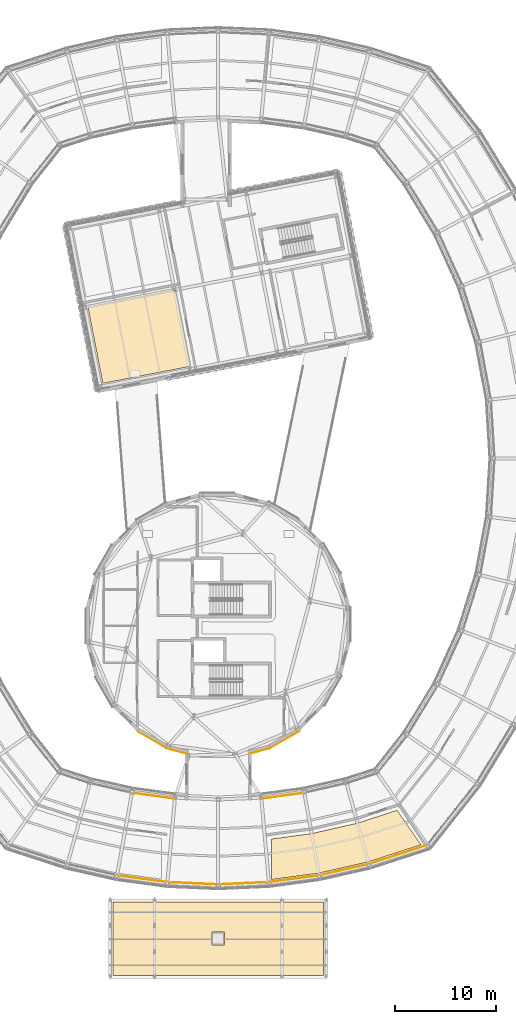
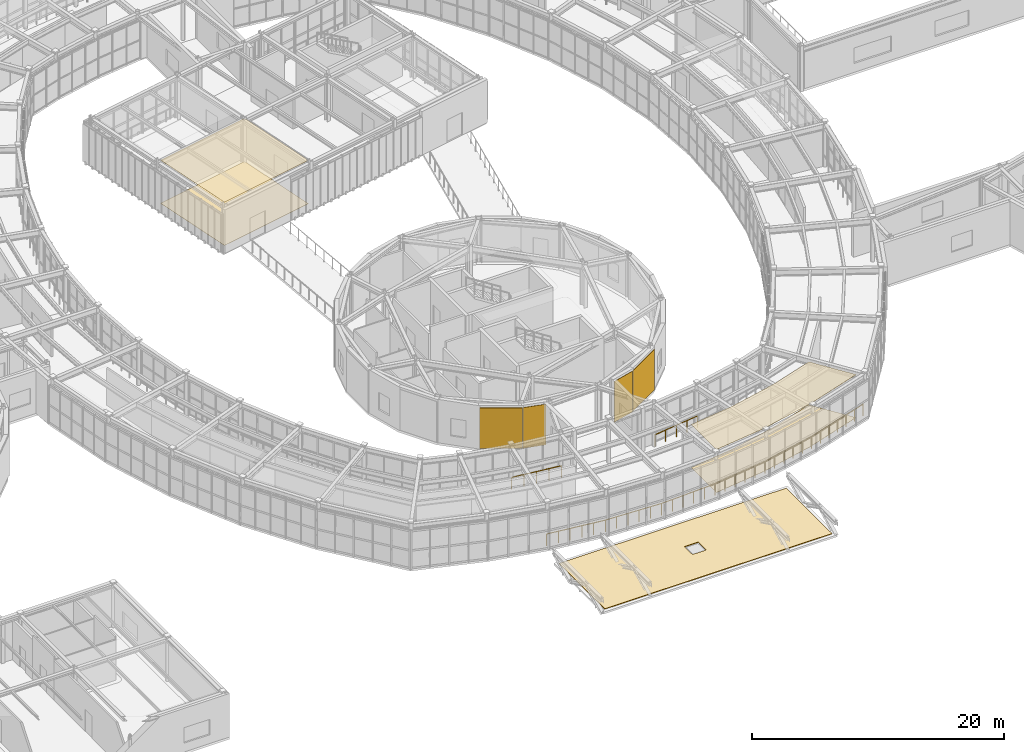
# One storey, part 92 of 103: 9 coverings, 8 railings.
"""IFC4 building model written with IfcOpenShell, lengths in metres."""

from ifc_helpers import new_model, si_unit, direction, frame, origin, origin_2d, place, context, subcontext, project, spatial, polyline, rectangle, circle, outline, extrude, material, layer, layer_set, type_object, element, save


model = new_model("IFC4")

# Units and contexts
model_context = context("Model", 3, precision=1e-05, world=origin(), true_north=direction((0.0, 1.0)))
body_context = subcontext(model_context, "Body", "Model", "MODEL_VIEW")
ifc_project = project(units=[si_unit("LENGTHUNIT", "METRE"), si_unit("AREAUNIT", "SQUARE_METRE"), si_unit("VOLUMEUNIT", "CUBIC_METRE"), si_unit("PLANEANGLEUNIT", "RADIAN"), si_unit("MASSUNIT", "GRAM", prefix="KILO")], contexts=[model_context])

# Site, building, storey
site_placement = place(None, origin())
site = spatial("IfcSite", under=ifc_project, at=site_placement, CompositionType="ELEMENT")
building_placement = place(site_placement, origin())
building = spatial("IfcBuilding", under=site, at=building_placement, Name="Varnklinge Art Gallery", CompositionType="ELEMENT")
storey_placement = place(building_placement, frame((0.0, 0.0, 5.10009765625)))
storey = spatial("IfcBuildingStorey", under=building, at=storey_placement, Name="L01", CompositionType="ELEMENT", Elevation=5.10009765625)

# Railings
ifc_material_1 = material(Name="Anodised Aluminium", Category="aluminium")
railing_type = type_object("IfcRailingType", Name="BAL-01", PredefinedType="BALUSTRADE", material=ifc_material_1)
railing_1_placement = place(storey_placement, frame((65.49951171875, 13.753662109375, 0.0)))
element("IfcRailing", 1, at=railing_1_placement, inside=storey, type_object=railing_type, Name="L01 Ring Outer Glazing Guard 35", PredefinedType="BALUSTRADE", context=body_context, shape_type="SweptSolid", body=[
    extrude(circle(Radius=0.02392578125, at=origin_2d()), frame((0.0, 0.0, 1.11572265625), z_axis=(0.990995566773, -0.133894684872, 0.0), x_axis=(0.133894684872, 0.990995566773, 0.0)), (0.0, 0.0, 1.0), 5.025146484375),
    extrude(circle(Radius=0.02099609375, at=origin_2d()), origin(), (0.0, 0.0, 1.0), 1.091796875),
    extrude(circle(Radius=0.02099609375, at=origin_2d()), frame((0.99609375, -0.134521484375, 0.0)), (0.0, 0.0, 1.0), 1.091796875),
    extrude(circle(Radius=0.02099609375, at=origin_2d()), frame((1.991943359375, -0.26904296875, 0.0)), (0.0, 0.0, 1.0), 1.091796875),
    extrude(circle(Radius=0.02099609375, at=origin_2d()), frame((2.988037109375, -0.40380859375, 0.0)), (0.0, 0.0, 1.0), 1.091796875),
    extrude(circle(Radius=0.02099609375, at=origin_2d()), frame((3.98388671875, -0.538330078125, 0.0)), (0.0, 0.0, 1.0), 1.091796875),
    extrude(circle(Radius=0.02099609375, at=origin_2d()), frame((4.97998046875, -0.6728515625, 0.0)), (0.0, 0.0, 1.0), 1.091796875),
])
railing_2_placement = place(storey_placement, frame((66.975830078125, 21.909423828125, 0.0)))
element("IfcRailing", 2, at=railing_2_placement, inside=storey, type_object=railing_type, Name="L01 Ring Inner Glazing Guard 35", PredefinedType="BALUSTRADE", context=body_context, shape_type="SweptSolid", body=[
    extrude(circle(Radius=0.02392578125, at=origin_2d()), frame((0.0, 0.0, 1.11572265625), z_axis=(0.990996927418, -0.133884613936, 0.0), x_axis=(0.133884613936, 0.990996927418, 0.0)), (0.0, 0.0, 1.0), 4.283447265625),
    extrude(circle(Radius=0.02099609375, at=origin_2d()), origin(), (0.0, 0.0, 1.0), 1.091796875),
    extrude(circle(Radius=0.02099609375, at=origin_2d()), frame((1.061279296875, -0.143310546875, 0.0)), (0.0, 0.0, 1.0), 1.091796875),
    extrude(circle(Radius=0.02099609375, at=origin_2d()), frame((2.12255859375, -0.28662109375, 0.0)), (0.0, 0.0, 1.0), 1.091796875),
    extrude(circle(Radius=0.02099609375, at=origin_2d()), frame((3.18359375, -0.43017578125, 0.0)), (0.0, 0.0, 1.0), 1.091796875),
    extrude(circle(Radius=0.02099609375, at=origin_2d()), frame((4.244873046875, -0.573486328125, 0.0)), (0.0, 0.0, 1.0), 1.091796875),
])
railing_3_placement = place(storey_placement, frame((70.4794921875, 13.080810546875, 0.0)))
element("IfcRailing", 3, at=railing_3_placement, inside=storey, type_object=railing_type, Name="L01 Ring Outer Glazing Guard 36", PredefinedType="BALUSTRADE", context=body_context, shape_type="SweptSolid", body=[
    extrude(circle(Radius=0.02392578125, at=origin_2d()), frame((0.0, 0.0, 1.11572265625), z_axis=(0.998998568337, -0.044742155293, 0.0), x_axis=(0.044742155293, 0.998998568337, 0.0)), (0.0, 0.0, 1.0), 5.025634765625),
    extrude(circle(Radius=0.02099609375, at=origin_2d()), origin(), (0.0, 0.0, 1.0), 1.091796875),
    extrude(circle(Radius=0.02099609375, at=origin_2d()), frame((1.004150390625, -0.044921875, 0.0)), (0.0, 0.0, 1.0), 1.091796875),
    extrude(circle(Radius=0.02099609375, at=origin_2d()), frame((2.00830078125, -0.08984375, 0.0)), (0.0, 0.0, 1.0), 1.091796875),
    extrude(circle(Radius=0.02099609375, at=origin_2d()), frame((3.01220703125, -0.135009765625, 0.0)), (0.0, 0.0, 1.0), 1.091796875),
    extrude(circle(Radius=0.02099609375, at=origin_2d()), frame((4.016357421875, -0.179931640625, 0.0)), (0.0, 0.0, 1.0), 1.091796875),
    extrude(circle(Radius=0.02099609375, at=origin_2d()), frame((5.0205078125, -0.224853515625, 0.0)), (0.0, 0.0, 1.0), 1.091796875),
])
railing_4_placement = place(storey_placement, frame((75.5, 12.85595703125, 0.0)))
element("IfcRailing", 4, at=railing_4_placement, inside=storey, type_object=railing_type, Name="L01 Ring Outer Glazing Guard 37", PredefinedType="BALUSTRADE", context=body_context, shape_type="SweptSolid", body=[
    extrude(circle(Radius=0.02392578125, at=origin_2d()), frame((0.0, 0.0, 1.11572265625), z_axis=(0.998998568337, 0.044742155293, 0.0), x_axis=(-0.044742155293, 0.998998568337, 0.0)), (0.0, 0.0, 1.0), 5.025634765625),
    extrude(circle(Radius=0.02099609375, at=origin_2d()), origin(), (0.0, 0.0, 1.0), 1.091796875),
    extrude(circle(Radius=0.02099609375, at=origin_2d()), frame((1.004150390625, 0.044921875, 0.0)), (0.0, 0.0, 1.0), 1.091796875),
    extrude(circle(Radius=0.02099609375, at=origin_2d()), frame((2.00830078125, 0.08984375, 0.0)), (0.0, 0.0, 1.0), 1.091796875),
    extrude(circle(Radius=0.02099609375, at=origin_2d()), frame((3.01220703125, 0.135009765625, 0.0)), (0.0, 0.0, 1.0), 1.091796875),
    extrude(circle(Radius=0.02099609375, at=origin_2d()), frame((4.016357421875, 0.179931640625, 0.0)), (0.0, 0.0, 1.0), 1.091796875),
    extrude(circle(Radius=0.02099609375, at=origin_2d()), frame((5.0205078125, 0.224853515625, 0.0)), (0.0, 0.0, 1.0), 1.091796875),
])
railing_5_placement = place(storey_placement, frame((80.5205078125, 13.080810546875, 0.0)))
element("IfcRailing", 5, at=railing_5_placement, inside=storey, type_object=railing_type, Name="L01 Ring Outer Glazing Guard 38", PredefinedType="BALUSTRADE", context=body_context, shape_type="SweptSolid", body=[
    extrude(circle(Radius=0.02392578125, at=origin_2d()), frame((0.0, 0.0, 1.11572265625), z_axis=(0.990995566773, 0.133894684872, 0.0), x_axis=(-0.133894684872, 0.990995566773, 0.0)), (0.0, 0.0, 1.0), 5.025146484375),
    extrude(circle(Radius=0.02099609375, at=origin_2d()), origin(), (0.0, 0.0, 1.0), 1.091796875),
    extrude(circle(Radius=0.02099609375, at=origin_2d()), frame((0.99609375, 0.134521484375, 0.0)), (0.0, 0.0, 1.0), 1.091796875),
    extrude(circle(Radius=0.02099609375, at=origin_2d()), frame((1.991943359375, 0.26904296875, 0.0)), (0.0, 0.0, 1.0), 1.091796875),
    extrude(circle(Radius=0.02099609375, at=origin_2d()), frame((2.988037109375, 0.40380859375, 0.0)), (0.0, 0.0, 1.0), 1.091796875),
    extrude(circle(Radius=0.02099609375, at=origin_2d()), frame((3.98388671875, 0.538330078125, 0.0)), (0.0, 0.0, 1.0), 1.091796875),
    extrude(circle(Radius=0.02099609375, at=origin_2d()), frame((4.97998046875, 0.6728515625, 0.0)), (0.0, 0.0, 1.0), 1.091796875),
])
railing_6_placement = place(storey_placement, frame((79.779296875, 21.3359375, 0.0)))
element("IfcRailing", 6, at=railing_6_placement, inside=storey, type_object=railing_type, Name="L01 Ring Inner Glazing Guard 38", PredefinedType="BALUSTRADE", context=body_context, shape_type="SweptSolid", body=[
    extrude(circle(Radius=0.02392578125, at=origin_2d()), frame((0.0, 0.0, 1.11572265625), z_axis=(0.990996927418, 0.133884613936, 0.0), x_axis=(-0.133884613936, 0.990996927418, 0.0)), (0.0, 0.0, 1.0), 4.283447265625),
    extrude(circle(Radius=0.02099609375, at=origin_2d()), origin(), (0.0, 0.0, 1.0), 1.091796875),
    extrude(circle(Radius=0.02099609375, at=origin_2d()), frame((1.061279296875, 0.143310546875, 0.0)), (0.0, 0.0, 1.0), 1.091796875),
    extrude(circle(Radius=0.02099609375, at=origin_2d()), frame((2.12255859375, 0.28662109375, 0.0)), (0.0, 0.0, 1.0), 1.091796875),
    extrude(circle(Radius=0.02099609375, at=origin_2d()), frame((3.18359375, 0.43017578125, 0.0)), (0.0, 0.0, 1.0), 1.091796875),
    extrude(circle(Radius=0.02099609375, at=origin_2d()), frame((4.244873046875, 0.573486328125, 0.0)), (0.0, 0.0, 1.0), 1.091796875),
])
railing_7_placement = place(storey_placement, frame((85.50048828125, 13.753662109375, 0.0)))
element("IfcRailing", 7, at=railing_7_placement, inside=storey, type_object=railing_type, Name="L01 Ring Outer Glazing Guard 39", PredefinedType="BALUSTRADE", context=body_context, shape_type="SweptSolid", body=[
    extrude(circle(Radius=0.02392578125, at=origin_2d()), frame((0.0, 0.0, 1.11572265625), z_axis=(0.975052616387, 0.221973861698, 0.0), x_axis=(-0.221973861698, 0.975052616387, 0.0)), (0.0, 0.0, 1.0), 5.025390625),
    extrude(circle(Radius=0.02099609375, at=origin_2d()), origin(), (0.0, 0.0, 1.0), 1.091796875),
    extrude(circle(Radius=0.02099609375, at=origin_2d()), frame((0.97998046875, 0.22314453125, 0.0)), (0.0, 0.0, 1.0), 1.091796875),
    extrude(circle(Radius=0.02099609375, at=origin_2d()), frame((1.9599609375, 0.4462890625, 0.0)), (0.0, 0.0, 1.0), 1.091796875),
    extrude(circle(Radius=0.02099609375, at=origin_2d()), frame((2.93994140625, 0.669189453125, 0.0)), (0.0, 0.0, 1.0), 1.091796875),
    extrude(circle(Radius=0.02099609375, at=origin_2d()), frame((3.919921875, 0.892333984375, 0.0)), (0.0, 0.0, 1.0), 1.091796875),
    extrude(circle(Radius=0.02099609375, at=origin_2d()), frame((4.89990234375, 1.115478515625, 0.0)), (0.0, 0.0, 1.0), 1.091796875),
])
railing_8_placement = place(storey_placement, frame((90.400390625, 14.869140625, 0.0)))
element("IfcRailing", 8, at=railing_8_placement, inside=storey, type_object=railing_type, Name="L01 Ring Outer Glazing Guard 40", PredefinedType="BALUSTRADE", context=body_context, shape_type="SweptSolid", body=[
    extrude(circle(Radius=0.02392578125, at=origin_2d()), frame((0.0, 0.0, 1.11572265625), z_axis=(0.951286996802, 0.308306746141, 0.0), x_axis=(-0.308306746141, 0.951286996802, 0.0)), (0.0, 0.0, 1.0), 6.0927734375),
    extrude(circle(Radius=0.02099609375, at=origin_2d()), origin(), (0.0, 0.0, 1.0), 1.091796875),
    extrude(circle(Radius=0.02099609375, at=origin_2d()), frame((0.966064453125, 0.31298828125, 0.0)), (0.0, 0.0, 1.0), 1.091796875),
    extrude(circle(Radius=0.02099609375, at=origin_2d()), frame((1.931884765625, 0.626220703125, 0.0)), (0.0, 0.0, 1.0), 1.091796875),
    extrude(circle(Radius=0.02099609375, at=origin_2d()), frame((2.89794921875, 0.939208984375, 0.0)), (0.0, 0.0, 1.0), 1.091796875),
    extrude(circle(Radius=0.02099609375, at=origin_2d()), frame((3.864013671875, 1.252197265625, 0.0)), (0.0, 0.0, 1.0), 1.091796875),
    extrude(circle(Radius=0.02099609375, at=origin_2d()), frame((4.829833984375, 1.5654296875, 0.0)), (0.0, 0.0, 1.0), 1.091796875),
    extrude(circle(Radius=0.02099609375, at=origin_2d()), frame((5.7958984375, 1.87841796875, 0.0)), (0.0, 0.0, 1.0), 1.091796875),
])

# Coverings
ifc_material_2 = material(Name="Pre-weathered Zinc", Category="metal")
ifc_layer_1 = layer(ifc_material_2, 0.02490234375)
ifc_layer_set_1 = layer_set([ifc_layer_1], Name="Pre-weathered Zinc")
covering_type_1 = type_object("IfcCoveringType", Name="CLD-ZNC", PredefinedType="CLADDING", material=ifc_layer_set_1)
covering_1_placement = place(storey_placement, frame((82.123291015625, 27.197998046875, 0.041015625), z_axis=(0.0, 0.0, 1.0), x_axis=(-0.866025403784, -0.5, 0.0)))
element("IfcCovering", 9, at=covering_1_placement, inside=storey, type_object=covering_type_1, Name="L01 Brushed Zinc Drum Cladding EW-V4D-L01-05", PredefinedType="CLADDING", context=body_context, shape_type="SweptSolid", body=[
    extrude(rectangle(XDim=3.39111328125, YDim=0.02490234375, at=origin_2d()), origin(), (0.0, 0.0, 1.0), 3.949951171875),
])
covering_2_placement = place(storey_placement, frame((79.6123046875, 26.040283203125, 0.041015625), z_axis=(0.0, 0.0, 1.0), x_axis=(-0.965925826289, -0.258819045103, 0.0)))
element("IfcCovering", 10, at=covering_2_placement, inside=storey, type_object=covering_type_1, Name="L01 Brushed Zinc Drum Cladding EW-V4D-L01-06", PredefinedType="CLADDING", context=body_context, shape_type="SweptSolid", body=[
    extrude(rectangle(XDim=2.066650390625, YDim=0.02490234375, at=origin_2d()), origin(), (0.0, 0.0, 1.0), 3.949951171875),
])
covering_3_placement = place(storey_placement, frame((71.469970703125, 26.018310546875, 0.041015625), z_axis=(0.0, 0.0, 1.0), x_axis=(-0.965925826289, 0.258819045103, 0.0)))
element("IfcCovering", 11, at=covering_3_placement, inside=storey, type_object=covering_type_1, Name="L01 Brushed Zinc Drum Cladding EW-V4D-L01-07", PredefinedType="CLADDING", context=body_context, shape_type="SweptSolid", body=[
    extrude(rectangle(XDim=1.896484375, YDim=0.02490234375, at=origin_2d()), origin(), (0.0, 0.0, 1.0), 3.949951171875),
])
covering_4_placement = place(storey_placement, frame((69.023681640625, 27.11279296875, 0.041015625), z_axis=(0.0, 0.0, 1.0), x_axis=(-0.866025403784, 0.5, 0.0)))
element("IfcCovering", 12, at=covering_4_placement, inside=storey, type_object=covering_type_1, Name="L01 Brushed Zinc Drum Cladding EW-V4D-L01-08", PredefinedType="CLADDING", context=body_context, shape_type="SweptSolid", body=[
    extrude(rectangle(XDim=3.39111328125, YDim=0.02490234375, at=origin_2d()), origin(), (0.0, 0.0, 1.0), 3.949951171875),
])
ifc_material_3 = material(Name="Acoustic Mineral Tile", Category="mineral")
ifc_layer_2 = layer(ifc_material_3, 0.02490234375)
ifc_layer_set_2 = layer_set([ifc_layer_2], Name="Acoustic Mineral Tile")
covering_type_2 = type_object("IfcCoveringType", Name="CLG-AC", PredefinedType="CEILING", material=ifc_layer_set_2)
covering_5_placement = place(storey_placement, frame((0.0, 0.0, 4.15478515625)))
element("IfcCovering", 13, at=covering_5_placement, inside=storey, type_object=covering_type_2, Name="L01 Acoustic Mineral Ceiling 024", PredefinedType="CEILING", context=body_context, shape_type="SweptSolid", body=[
    extrude(outline(polyline([(85.461181640625, 13.970458984375), (90.342041015625, 15.08154296875), (95.568359375, 16.775146484375), (93.2001953125, 20.18310546875), (89.30810546875, 18.921875), (89.264892578125, 18.909912109375), (84.77490234375, 17.8876953125), (84.73095703125, 17.8798828125), (80.800048828125, 17.3486328125), (80.800048828125, 13.340576171875), (85.461181640625, 13.970458984375)])), origin(), (0.0, 0.0, 1.0), 0.025146484375),
])
covering_6_placement = place(storey_placement, frame((0.0, 0.0, 4.1748046875)))
element("IfcCovering", 14, at=covering_6_placement, inside=storey, type_object=covering_type_2, Name="L01 Acoustic Mineral Ceiling 027", PredefinedType="CEILING", context=body_context, shape_type="SweptSolid", body=[
    extrude(outline(polyline([(72.751953125, 64.101318359375), (71.279052734375, 71.679443359375), (62.62109375, 69.99658203125), (64.093994140625, 62.41845703125), (72.751953125, 64.101318359375)])), origin(), (0.0, 0.0, 1.0), 0.025146484375),
])
ifc_material_4 = material(Name="Polished Terrazzo Flooring", Category="stone")
ifc_layer_3 = layer(ifc_material_4, 0.02001953125)
ifc_layer_set_3 = layer_set([ifc_layer_3], Name="Polished Terrazzo Flooring")
covering_type_3 = type_object("IfcCoveringType", Name="FLR-STN", PredefinedType="FLOORING", material=ifc_layer_set_3)
covering_7_placement = place(storey_placement, origin())
element("IfcCovering", 15, at=covering_7_placement, inside=storey, type_object=covering_type_3, Name="L01 Gallery Terrazzo Flooring 024", PredefinedType="FLOORING", context=body_context, shape_type="SweptSolid", body=[
    extrude(outline(polyline([(85.461181640625, 13.970458984375), (90.342041015625, 15.08154296875), (95.568359375, 16.775146484375), (93.2001953125, 20.18310546875), (89.30810546875, 18.921875), (89.264892578125, 18.909912109375), (84.77490234375, 17.8876953125), (84.73095703125, 17.8798828125), (80.800048828125, 17.3486328125), (80.800048828125, 13.340576171875), (85.461181640625, 13.970458984375)])), origin(), (0.0, 0.0, 1.0), 0.02001953125),
])
covering_8_placement = place(storey_placement, origin())
element("IfcCovering", 16, at=covering_8_placement, inside=storey, type_object=covering_type_3, Name="L01 Gallery Terrazzo Flooring 027", PredefinedType="FLOORING", context=body_context, shape_type="SweptSolid", body=[
    extrude(outline(polyline([(72.751953125, 64.101318359375), (71.279052734375, 71.679443359375), (62.62109375, 69.99658203125), (64.093994140625, 62.41845703125), (72.751953125, 64.101318359375)])), origin(), (0.0, 0.0, 1.0), 0.02001953125),
])
ifc_material_5 = material(Name="Polymer-Modified Bitumen Roofing", Category="membrane")
ifc_layer_4 = layer(ifc_material_5, 0.06005859375)
ifc_layer_set_4 = layer_set([ifc_layer_4], Name="Polymer-Modified Bitumen Roofing")
covering_type_4 = type_object("IfcCoveringType", Name="RFG-MEM", PredefinedType="ROOFING", material=ifc_layer_set_4)
covering_9_placement = place(storey_placement, frame((0.0, 0.0, -0.0400390625)))
element("IfcCovering", 17, at=covering_9_placement, inside=storey, type_object=covering_type_4, Name="L01 Roof Covering 15", PredefinedType="ROOFING", context=body_context, shape_type="SweptSolid", body=[
    extrude(outline(polyline([(85.89990234375, 3.85009765625), (85.89990234375, 11.10009765625), (65.10009765625, 11.10009765625), (65.10009765625, 3.85009765625), (85.89990234375, 3.85009765625)]), holes=[polyline([(76.1298828125, 6.8701171875), (76.1298828125, 8.1298828125), (74.8701171875, 8.1298828125), (74.8701171875, 6.8701171875), (76.1298828125, 6.8701171875)])]), origin(), (0.0, 0.0, 1.0), 0.06005859375),
])

save(model, "model.ifc")
